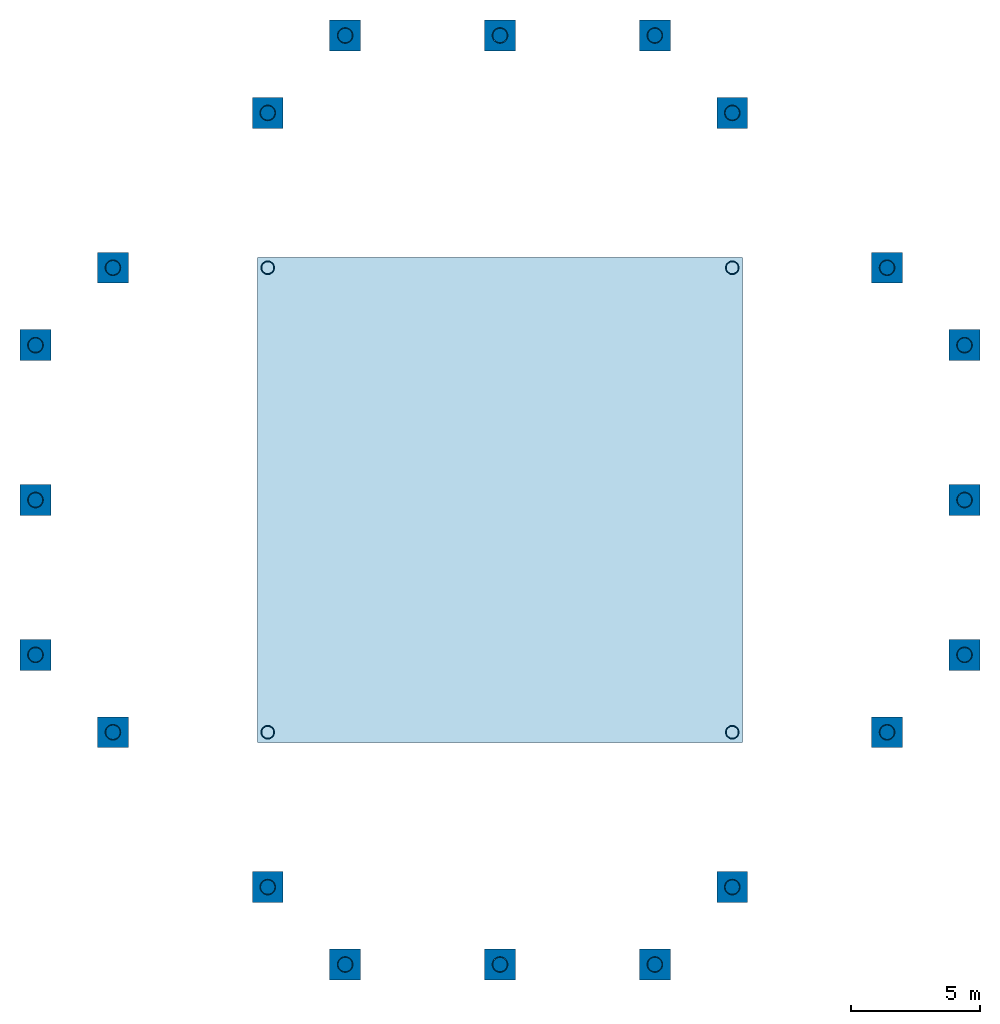
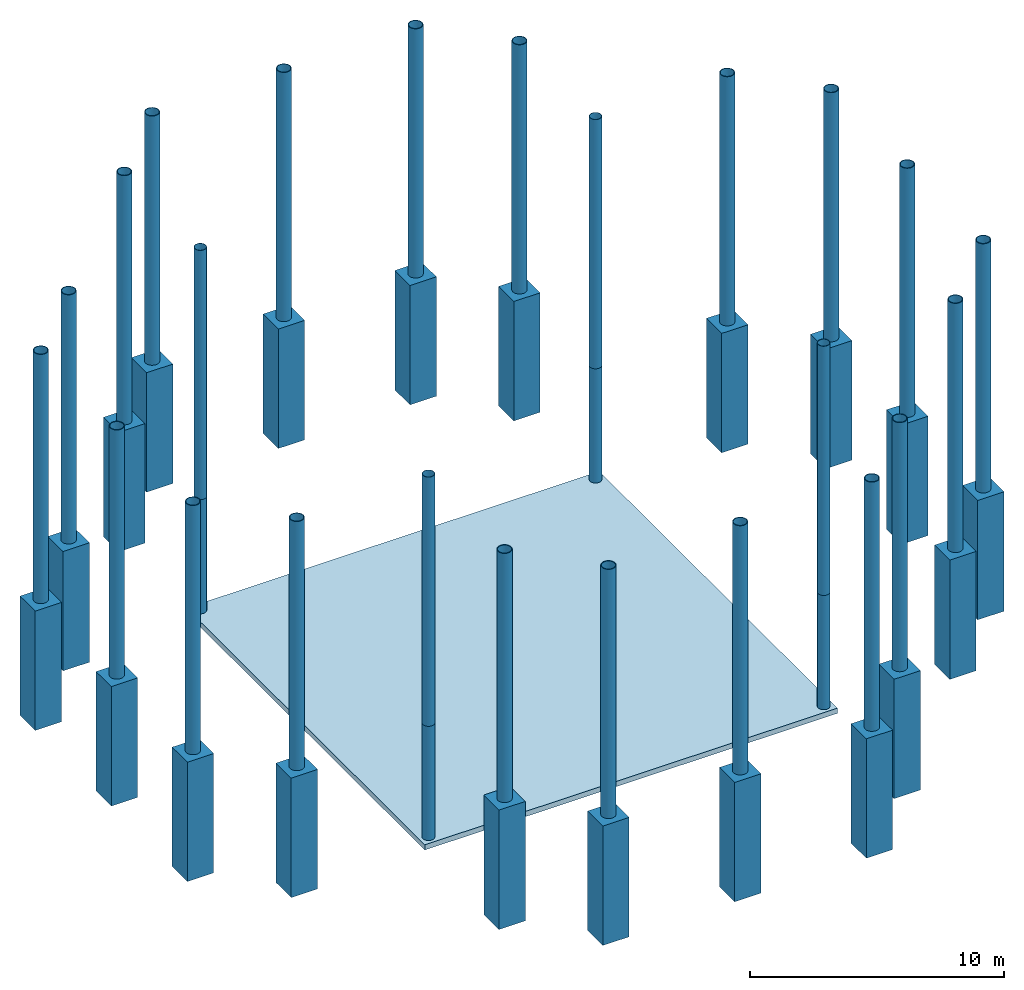
# One storey: 48 columns, 1 slab.
"""IFC4 building model written with IfcOpenShell, lengths in metres."""

from ifc_helpers import new_model, si_unit, direction, frame, origin, origin_2d, place, context, subcontext, project, spatial, polyline, rectangle, hollow_circle, outline, extrude, material, layer, layer_set, material_profile, profile_set, type_object, element, save


model = new_model("IFC4")

# Units and contexts
model_context = context("Model", 3, precision=1e-05, world=origin(), true_north=direction((0.0, 1.0)))
body_context = subcontext(model_context, "Body", "Model", "MODEL_VIEW")
ifc_project = project(units=[si_unit("LENGTHUNIT", "METRE"), si_unit("AREAUNIT", "SQUARE_METRE"), si_unit("VOLUMEUNIT", "CUBIC_METRE"), si_unit("PLANEANGLEUNIT", "RADIAN"), si_unit("MASSUNIT", "GRAM", prefix="KILO")], contexts=[model_context])

# Site, building, storey
site_placement = place(None, origin())
site = spatial("IfcSite", under=ifc_project, at=site_placement, CompositionType="ELEMENT")
building_placement = place(site_placement, origin())
building = spatial("IfcBuilding", under=site, at=building_placement, Name="Torre Cruceta", CompositionType="ELEMENT")
storey_placement = place(building_placement, frame((0.0, 0.0, 299.550048828125)))
storey = spatial("IfcBuildingStorey", under=building, at=storey_placement, Name="UPPER ROOF", CompositionType="ELEMENT", Elevation=299.550048828125)

# Columns
ifc_material_1 = material(Name="Steel S355J2H", Category="steel")
ifc_material_profile_1 = material_profile(ifc_material_1, hollow_circle(Radius=0.25390625, WallThickness=0.01611328125, at=origin_2d()), Name="CHS508X16")
ifc_profile_set_1 = profile_set([ifc_material_profile_1], Name="Steel S355J2H")
column_type_1 = type_object("IfcColumnType", Name="CROWN FRAME INTERIOR POST CHS508X16", PredefinedType="COLUMN", material=ifc_profile_set_1)
column_1_placement = place(storey_placement, frame((9.0, 9.0, 0.25), z_axis=(0.0, 0.0, 1.0), x_axis=(1.0, 0.0, 0.0)))
element("IfcColumn", 1, at=column_1_placement, inside=storey, type_object=column_type_1, Name="Crown frame interior post CP2 1-01", PredefinedType="COLUMN", context=body_context, shape_type="SweptSolid", body=[
    extrude(hollow_circle(Radius=0.25390625, WallThickness=0.01611328125, at=origin_2d()), origin(), (0.0, 0.0, 1.0), 5.5),
])
column_2_placement = place(storey_placement, frame((9.0, 9.0, 5.75), z_axis=(0.0, 0.0, 1.0), x_axis=(1.0, 0.0, 0.0)))
element("IfcColumn", 2, at=column_2_placement, inside=storey, type_object=column_type_1, Name="Crown frame interior post CP2 2-01", PredefinedType="COLUMN", context=body_context, shape_type="SweptSolid", body=[
    extrude(hollow_circle(Radius=0.25390625, WallThickness=0.01611328125, at=origin_2d()), origin(), (0.0, 0.0, 1.0), 12.0),
])
column_3_placement = place(storey_placement, frame((-9.0, 9.0, 0.25), z_axis=(0.0, 0.0, 1.0), x_axis=(1.0, 0.0, 0.0)))
element("IfcColumn", 3, at=column_3_placement, inside=storey, type_object=column_type_1, Name="Crown frame interior post CP2 1-02", PredefinedType="COLUMN", context=body_context, shape_type="SweptSolid", body=[
    extrude(hollow_circle(Radius=0.25390625, WallThickness=0.01611328125, at=origin_2d()), origin(), (0.0, 0.0, 1.0), 5.5),
])
column_4_placement = place(storey_placement, frame((-9.0, 9.0, 5.75), z_axis=(0.0, 0.0, 1.0), x_axis=(1.0, 0.0, 0.0)))
element("IfcColumn", 4, at=column_4_placement, inside=storey, type_object=column_type_1, Name="Crown frame interior post CP2 2-02", PredefinedType="COLUMN", context=body_context, shape_type="SweptSolid", body=[
    extrude(hollow_circle(Radius=0.25390625, WallThickness=0.01611328125, at=origin_2d()), origin(), (0.0, 0.0, 1.0), 12.0),
])
column_5_placement = place(storey_placement, frame((-9.0, -9.0, 0.25), z_axis=(0.0, 0.0, 1.0), x_axis=(1.0, 0.0, 0.0)))
element("IfcColumn", 5, at=column_5_placement, inside=storey, type_object=column_type_1, Name="Crown frame interior post CP2 1-03", PredefinedType="COLUMN", context=body_context, shape_type="SweptSolid", body=[
    extrude(hollow_circle(Radius=0.25390625, WallThickness=0.01611328125, at=origin_2d()), origin(), (0.0, 0.0, 1.0), 5.5),
])
column_6_placement = place(storey_placement, frame((-9.0, -9.0, 5.75), z_axis=(0.0, 0.0, 1.0), x_axis=(1.0, 0.0, 0.0)))
element("IfcColumn", 6, at=column_6_placement, inside=storey, type_object=column_type_1, Name="Crown frame interior post CP2 2-03", PredefinedType="COLUMN", context=body_context, shape_type="SweptSolid", body=[
    extrude(hollow_circle(Radius=0.25390625, WallThickness=0.01611328125, at=origin_2d()), origin(), (0.0, 0.0, 1.0), 12.0),
])
column_7_placement = place(storey_placement, frame((9.0, -9.0, 0.25), z_axis=(0.0, 0.0, 1.0), x_axis=(1.0, 0.0, 0.0)))
element("IfcColumn", 7, at=column_7_placement, inside=storey, type_object=column_type_1, Name="Crown frame interior post CP2 1-04", PredefinedType="COLUMN", context=body_context, shape_type="SweptSolid", body=[
    extrude(hollow_circle(Radius=0.25390625, WallThickness=0.01611328125, at=origin_2d()), origin(), (0.0, 0.0, 1.0), 5.5),
])
column_8_placement = place(storey_placement, frame((9.0, -9.0, 5.75), z_axis=(0.0, 0.0, 1.0), x_axis=(1.0, 0.0, 0.0)))
element("IfcColumn", 8, at=column_8_placement, inside=storey, type_object=column_type_1, Name="Crown frame interior post CP2 2-04", PredefinedType="COLUMN", context=body_context, shape_type="SweptSolid", body=[
    extrude(hollow_circle(Radius=0.25390625, WallThickness=0.01611328125, at=origin_2d()), origin(), (0.0, 0.0, 1.0), 12.0),
])
ifc_material_2 = material(Name="Steel S355J2H", Category="steel")
ifc_material_profile_2 = material_profile(ifc_material_2, hollow_circle(Radius=0.304931640625, WallThickness=0.030029296875, at=origin_2d()), Name="CHS610X30")
ifc_profile_set_2 = profile_set([ifc_material_profile_2], Name="Steel S355J2H")
column_type_2 = type_object("IfcColumnType", Name="CROWN FRAME POST CHS610X30", PredefinedType="COLUMN", material=ifc_profile_set_2)
for number, where, z_axis, x_axis, name in (
    (9, (-18.0, -6.0, 5.75), (0.0, 0.0, 1.0), (1.0, 0.0, 0.0), "Crown frame post CP1 01"),
    (10, (-15.0, -9.0, 5.75), (0.0, 0.0, 1.0), (1.0, 0.0, 0.0), "Crown frame post CP1 02"),
    (11, (-9.0, -15.0, 5.75), (0.0, 0.0, 1.0), (1.0, 0.0, 0.0), "Crown frame post CP1 03"),
    (12, (-6.0, -18.0, 5.75), (0.0, 0.0, 1.0), (1.0, 0.0, 0.0), "Crown frame post CP1 04"),
    (13, (0.0, -18.0, 5.75), (0.0, 0.0, 1.0), (1.0, 0.0, 0.0), "Crown frame post CP1 05"),
    (14, (6.0, -18.0, 5.75), (0.0, 0.0, 1.0), (1.0, 0.0, 0.0), "Crown frame post CP1 06"),
    (15, (9.0, -15.0, 5.75), (0.0, 0.0, 1.0), (1.0, 0.0, 0.0), "Crown frame post CP1 07"),
    (16, (15.0, -9.0, 5.75), (0.0, 0.0, 1.0), (1.0, 0.0, 0.0), "Crown frame post CP1 08"),
    (17, (18.0, -6.0, 5.75), (0.0, 0.0, 1.0), (1.0, 0.0, 0.0), "Crown frame post CP1 09"),
    (18, (18.0, 0.0, 5.75), (0.0, 0.0, 1.0), (1.0, 0.0, 0.0), "Crown frame post CP1 10"),
    (19, (18.0, 6.0, 5.75), (0.0, 0.0, 1.0), (1.0, 0.0, 0.0), "Crown frame post CP1 11"),
    (20, (15.0, 9.0, 5.75), (0.0, 0.0, 1.0), (1.0, 0.0, 0.0), "Crown frame post CP1 12"),
    (21, (9.0, 15.0, 5.75), (0.0, 0.0, 1.0), (1.0, 0.0, 0.0), "Crown frame post CP1 13"),
    (22, (6.0, 18.0, 5.75), (0.0, 0.0, 1.0), (1.0, 0.0, 0.0), "Crown frame post CP1 14"),
    (23, (0.0, 18.0, 5.75), (0.0, 0.0, 1.0), (1.0, 0.0, 0.0), "Crown frame post CP1 15"),
    (24, (-6.0, 18.0, 5.75), (0.0, 0.0, 1.0), (1.0, 0.0, 0.0), "Crown frame post CP1 16"),
    (25, (-9.0, 15.0, 5.75), (0.0, 0.0, 1.0), (1.0, 0.0, 0.0), "Crown frame post CP1 17"),
    (26, (-15.0, 9.0, 5.75), (0.0, 0.0, 1.0), (1.0, 0.0, 0.0), "Crown frame post CP1 18"),
    (27, (-18.0, 6.0, 5.75), (0.0, 0.0, 1.0), (1.0, 0.0, 0.0), "Crown frame post CP1 19"),
    (28, (-18.0, 0.0, 5.75), (0.0, 0.0, 1.0), (1.0, 0.0, 0.0), "Crown frame post CP1 20"),
):
    element("IfcColumn", number, at=place(storey_placement, frame(where, z_axis=z_axis, x_axis=x_axis)), inside=storey, type_object=column_type_2, Name=name, PredefinedType="COLUMN", context=body_context, shape_type="SweptSolid", body=[
        extrude(hollow_circle(Radius=0.304931640625, WallThickness=0.030029296875, at=origin_2d()), origin(), (0.0, 0.0, 1.0), 12.0),
    ])
ifc_material_3 = material(Name="Concrete G60 (fck 60 MPa)", Category="concrete")
ifc_material_profile_3 = material_profile(ifc_material_3, rectangle(XDim=1.199951171875, YDim=1.199951171875, at=origin_2d()), Name="RC 1200X1200")
ifc_profile_set_3 = profile_set([ifc_material_profile_3], Name="Concrete G60 (fck 60 MPa)")
column_type_3 = type_object("IfcColumnType", Name="CROWN FRAME POST RC 1200X1200", PredefinedType="COLUMN", material=ifc_profile_set_3)
for number, where, z_axis, x_axis, name in (
    (29, (-18.0, -6.0, 0.0), (0.0, 0.0, 1.0), (1.0, 0.0, 0.0), "Crown frame post CF1 01"),
    (30, (-15.0, -9.0, 0.0), (0.0, 0.0, 1.0), (1.0, 0.0, 0.0), "Crown frame post CF1 02"),
    (31, (-9.0, -15.0, 0.0), (0.0, 0.0, 1.0), (1.0, 0.0, 0.0), "Crown frame post CF1 03"),
    (32, (-6.0, -18.0, 0.0), (0.0, 0.0, 1.0), (1.0, 0.0, 0.0), "Crown frame post CF1 04"),
    (33, (0.0, -18.0, 0.0), (0.0, 0.0, 1.0), (1.0, 0.0, 0.0), "Crown frame post CF1 05"),
    (34, (6.0, -18.0, 0.0), (0.0, 0.0, 1.0), (1.0, 0.0, 0.0), "Crown frame post CF1 06"),
    (35, (9.0, -15.0, 0.0), (0.0, 0.0, 1.0), (1.0, 0.0, 0.0), "Crown frame post CF1 07"),
    (36, (15.0, -9.0, 0.0), (0.0, 0.0, 1.0), (1.0, 0.0, 0.0), "Crown frame post CF1 08"),
    (37, (18.0, -6.0, 0.0), (0.0, 0.0, 1.0), (1.0, 0.0, 0.0), "Crown frame post CF1 09"),
    (38, (18.0, 0.0, 0.0), (0.0, 0.0, 1.0), (1.0, 0.0, 0.0), "Crown frame post CF1 10"),
    (39, (18.0, 6.0, 0.0), (0.0, 0.0, 1.0), (1.0, 0.0, 0.0), "Crown frame post CF1 11"),
    (40, (15.0, 9.0, 0.0), (0.0, 0.0, 1.0), (1.0, 0.0, 0.0), "Crown frame post CF1 12"),
    (41, (9.0, 15.0, 0.0), (0.0, 0.0, 1.0), (1.0, 0.0, 0.0), "Crown frame post CF1 13"),
    (42, (6.0, 18.0, 0.0), (0.0, 0.0, 1.0), (1.0, 0.0, 0.0), "Crown frame post CF1 14"),
    (43, (0.0, 18.0, 0.0), (0.0, 0.0, 1.0), (1.0, 0.0, 0.0), "Crown frame post CF1 15"),
    (44, (-6.0, 18.0, 0.0), (0.0, 0.0, 1.0), (1.0, 0.0, 0.0), "Crown frame post CF1 16"),
    (45, (-9.0, 15.0, 0.0), (0.0, 0.0, 1.0), (1.0, 0.0, 0.0), "Crown frame post CF1 17"),
    (46, (-15.0, 9.0, 0.0), (0.0, 0.0, 1.0), (1.0, 0.0, 0.0), "Crown frame post CF1 18"),
    (47, (-18.0, 6.0, 0.0), (0.0, 0.0, 1.0), (1.0, 0.0, 0.0), "Crown frame post CF1 19"),
    (48, (-18.0, 0.0, 0.0), (0.0, 0.0, 1.0), (1.0, 0.0, 0.0), "Crown frame post CF1 20"),
):
    element("IfcColumn", number, at=place(storey_placement, frame(where, z_axis=z_axis, x_axis=x_axis)), inside=storey, type_object=column_type_3, Name=name, PredefinedType="COLUMN", context=body_context, shape_type="SweptSolid", body=[
        extrude(rectangle(XDim=1.199951171875, YDim=1.199951171875, at=origin_2d()), origin(), (0.0, 0.0, 1.0), 5.75),
    ])

# Slab
ifc_material_4 = material(Name="Concrete G35 (fck 35 MPa)", Category="concrete")
ifc_layer = layer(ifc_material_4, 0.25)
ifc_layer_set = layer_set([ifc_layer], Name="Concrete G35 (fck 35 MPa)")
slab_type = type_object("IfcSlabType", Name="CORE ROOF SLAB 250", PredefinedType="ROOF", material=ifc_layer_set)
slab_placement = place(storey_placement, origin())
element("IfcSlab", 49, at=slab_placement, inside=storey, type_object=slab_type, Name="Core roof slab", PredefinedType="ROOF", context=body_context, shape_type="SweptSolid", body=[
    extrude(outline(polyline([(-9.39990234375, -9.39990234375), (9.39990234375, -9.39990234375), (9.39990234375, 9.39990234375), (-9.39990234375, 9.39990234375), (-9.39990234375, -9.39990234375)])), origin(), (0.0, 0.0, 1.0), 0.25),
])

save(model, "model.ifc")
